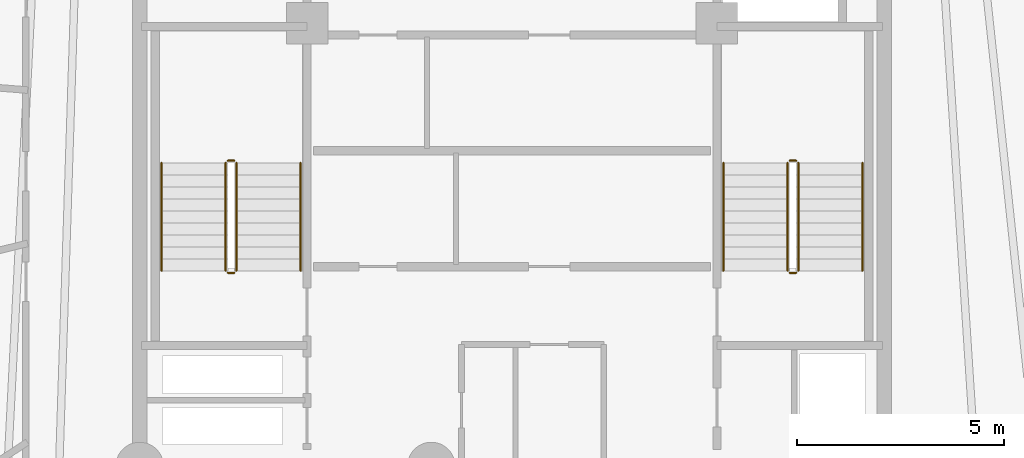
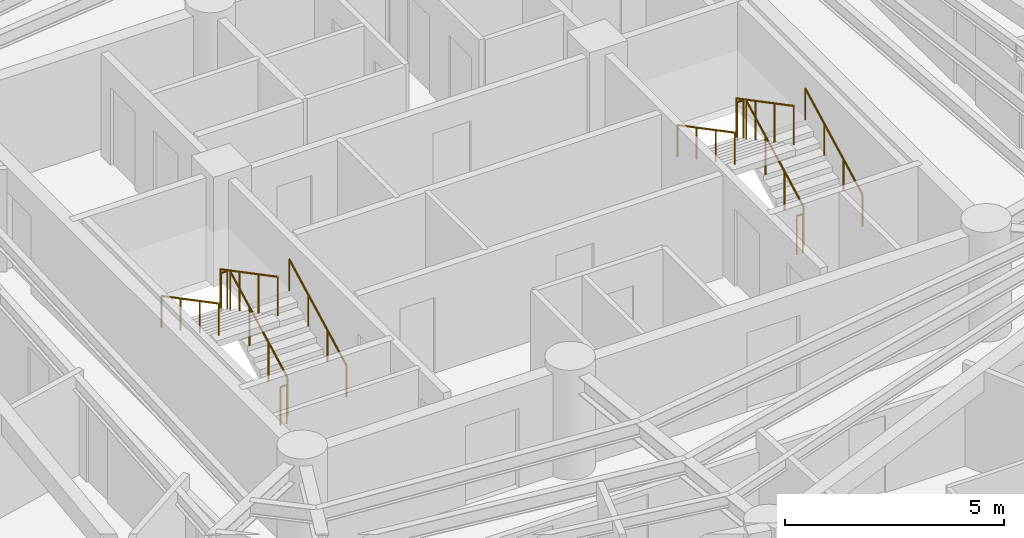
# One storey, part 7 of 7: 12 railings.
"""IFC4 building model written with IfcOpenShell, lengths in metres."""

from ifc_helpers import new_model, si_unit, direction, frame, origin, origin_2d, place, context, subcontext, project, spatial, circle, extrude, material, layer, layer_set, type_object, element, save


model = new_model("IFC4")

# Units and contexts
model_context = context("Model", 3, precision=1e-05, world=origin(), true_north=direction((0.0, 1.0)))
body_context = subcontext(model_context, "Body", "Model", "MODEL_VIEW")
ifc_project = project(units=[si_unit("LENGTHUNIT", "METRE"), si_unit("AREAUNIT", "SQUARE_METRE"), si_unit("VOLUMEUNIT", "CUBIC_METRE"), si_unit("PLANEANGLEUNIT", "RADIAN"), si_unit("MASSUNIT", "GRAM", prefix="KILO")], contexts=[model_context])

# Site, building, storey
site_placement = place(None, origin())
site = spatial("IfcSite", under=ifc_project, at=site_placement, CompositionType="ELEMENT")
building_placement = place(site_placement, origin())
building = spatial("IfcBuilding", under=site, at=building_placement, Name="Karkom Vertical University and Central Library", CompositionType="ELEMENT")
storey_placement = place(building_placement, frame((0.0, 0.0, 226.050048828125)))
storey = spatial("IfcBuildingStorey", under=building, at=storey_placement, Name="L66", CompositionType="ELEMENT", Elevation=226.050048828125)

# Railings
ifc_material_1 = material(Name="Painted galvanised steel balustrade", Category="steel")
ifc_layer_1 = layer(ifc_material_1, 0.06005859375)
ifc_layer_set_1 = layer_set([ifc_layer_1], Name="Painted galvanised steel balustrade")
railing_type_1 = type_object("IfcRailingType", Name="INT-RL-GUARD1100", PredefinedType="GUARDRAIL", material=ifc_layer_set_1)
railing_1_placement = place(storey_placement, frame((21.840087890625, 23.02001953125, 0.15234375)))
element("IfcRailing", 1, at=railing_1_placement, inside=storey, type_object=railing_type_1, Name="Level 66 ST-1 stair guard 1", PredefinedType="GUARDRAIL", context=body_context, shape_type="SweptSolid", body=[
    extrude(circle(Radius=0.02392578125, at=origin_2d()), frame((0.0, 0.0, 1.076171875), z_axis=(0.0, 0.885065446896, 0.46546659892), x_axis=(-1.0, 0.0, 0.0)), (0.0, 0.0, 1.0), 2.94873046875),
    extrude(circle(Radius=0.02099609375, at=origin_2d()), origin(), (0.0, 0.0, 1.0), 1.052001953125),
    extrude(circle(Radius=0.02099609375, at=origin_2d()), frame((0.0, 0.869873046875, 0.45751953125)), (0.0, 0.0, 1.0), 1.052001953125),
    extrude(circle(Radius=0.02099609375, at=origin_2d()), frame((0.0, 1.739990234375, 0.9150390625)), (0.0, 0.0, 1.0), 1.052001953125),
    extrude(circle(Radius=0.02099609375, at=origin_2d()), frame((0.0, 2.60986328125, 1.37255859375)), (0.0, 0.0, 1.0), 1.052001953125),
])
railing_2_placement = place(storey_placement, frame((21.7900390625, 25.679931640625, 1.52490234375)))
element("IfcRailing", 2, at=railing_2_placement, inside=storey, type_object=railing_type_1, Name="Level 66 ST-1 stair guard 2", PredefinedType="GUARDRAIL", context=body_context, shape_type="SweptSolid", body=[
    extrude(circle(Radius=0.02392578125, at=origin_2d()), frame((0.0, 0.0, 1.076171875), z_axis=(-1.0, 0.0, 0.0), x_axis=(0.0, -1.0, 0.0)), (0.0, 0.0, 1.0), 0.16015625),
    extrude(circle(Radius=0.02099609375, at=origin_2d()), origin(), (0.0, 0.0, 1.0), 1.052001953125),
    extrude(circle(Radius=0.02099609375, at=origin_2d()), frame((-0.16015625, 0.0, 0.0)), (0.0, 0.0, 1.0), 1.052001953125),
])
railing_3_placement = place(storey_placement, frame((21.580078125, 25.6298828125, 1.677490234375)))
element("IfcRailing", 3, at=railing_3_placement, inside=storey, type_object=railing_type_1, Name="Level 66 ST-1 stair guard 3", PredefinedType="GUARDRAIL", context=body_context, shape_type="SweptSolid", body=[
    extrude(circle(Radius=0.02392578125, at=origin_2d()), frame((0.0, 0.0, 1.076171875), z_axis=(0.0, -0.885065446896, 0.46546659892), x_axis=(1.0, 0.0, 0.0)), (0.0, 0.0, 1.0), 2.94873046875),
    extrude(circle(Radius=0.02099609375, at=origin_2d()), origin(), (0.0, 0.0, 1.0), 1.052001953125),
    extrude(circle(Radius=0.02099609375, at=origin_2d()), frame((0.0, -0.869873046875, 0.45751953125)), (0.0, 0.0, 1.0), 1.052001953125),
    extrude(circle(Radius=0.02099609375, at=origin_2d()), frame((0.0, -1.739990234375, 0.9150390625)), (0.0, 0.0, 1.0), 1.052001953125),
    extrude(circle(Radius=0.02099609375, at=origin_2d()), frame((0.0, -2.60986328125, 1.37255859375)), (0.0, 0.0, 1.0), 1.052001953125),
])
railing_4_placement = place(storey_placement, frame((21.7900390625, 22.969970703125, 0.0)))
element("IfcRailing", 4, at=railing_4_placement, inside=storey, type_object=railing_type_1, Name="Level 66 ST-1 stair guard 4", PredefinedType="GUARDRAIL", context=body_context, shape_type="SweptSolid", body=[
    extrude(circle(Radius=0.02392578125, at=origin_2d()), frame((0.0, 0.0, 1.076171875), z_axis=(-1.0, 0.0, 0.0), x_axis=(0.0, -1.0, 0.0)), (0.0, 0.0, 1.0), 0.16015625),
    extrude(circle(Radius=0.02099609375, at=origin_2d()), origin(), (0.0, 0.0, 1.0), 1.052001953125),
    extrude(circle(Radius=0.02099609375, at=origin_2d()), frame((-0.16015625, 0.0, 0.0)), (0.0, 0.0, 1.0), 1.052001953125),
])
railing_5_placement = place(storey_placement, frame((35.419921875, 23.02001953125, 0.15234375)))
element("IfcRailing", 5, at=railing_5_placement, inside=storey, type_object=railing_type_1, Name="Level 66 ST-2 stair guard 1", PredefinedType="GUARDRAIL", context=body_context, shape_type="SweptSolid", body=[
    extrude(circle(Radius=0.02392578125, at=origin_2d()), frame((0.0, 0.0, 1.076171875), z_axis=(0.0, 0.885065446896, 0.46546659892), x_axis=(-1.0, 0.0, 0.0)), (0.0, 0.0, 1.0), 2.94873046875),
    extrude(circle(Radius=0.02099609375, at=origin_2d()), origin(), (0.0, 0.0, 1.0), 1.052001953125),
    extrude(circle(Radius=0.02099609375, at=origin_2d()), frame((0.0, 0.869873046875, 0.45751953125)), (0.0, 0.0, 1.0), 1.052001953125),
    extrude(circle(Radius=0.02099609375, at=origin_2d()), frame((0.0, 1.739990234375, 0.9150390625)), (0.0, 0.0, 1.0), 1.052001953125),
    extrude(circle(Radius=0.02099609375, at=origin_2d()), frame((0.0, 2.60986328125, 1.37255859375)), (0.0, 0.0, 1.0), 1.052001953125),
])
railing_6_placement = place(storey_placement, frame((35.3701171875, 25.679931640625, 1.52490234375)))
element("IfcRailing", 6, at=railing_6_placement, inside=storey, type_object=railing_type_1, Name="Level 66 ST-2 stair guard 2", PredefinedType="GUARDRAIL", context=body_context, shape_type="SweptSolid", body=[
    extrude(circle(Radius=0.02392578125, at=origin_2d()), frame((0.0, 0.0, 1.076171875), z_axis=(-1.0, 0.0, 0.0), x_axis=(0.0, -1.0, 0.0)), (0.0, 0.0, 1.0), 0.16015625),
    extrude(circle(Radius=0.02099609375, at=origin_2d()), origin(), (0.0, 0.0, 1.0), 1.052001953125),
    extrude(circle(Radius=0.02099609375, at=origin_2d()), frame((-0.16015625, 0.0, 0.0)), (0.0, 0.0, 1.0), 1.052001953125),
])
railing_7_placement = place(storey_placement, frame((35.159912109375, 25.6298828125, 1.677490234375)))
element("IfcRailing", 7, at=railing_7_placement, inside=storey, type_object=railing_type_1, Name="Level 66 ST-2 stair guard 3", PredefinedType="GUARDRAIL", context=body_context, shape_type="SweptSolid", body=[
    extrude(circle(Radius=0.02392578125, at=origin_2d()), frame((0.0, 0.0, 1.076171875), z_axis=(0.0, -0.885065446896, 0.46546659892), x_axis=(1.0, 0.0, 0.0)), (0.0, 0.0, 1.0), 2.94873046875),
    extrude(circle(Radius=0.02099609375, at=origin_2d()), origin(), (0.0, 0.0, 1.0), 1.052001953125),
    extrude(circle(Radius=0.02099609375, at=origin_2d()), frame((0.0, -0.869873046875, 0.45751953125)), (0.0, 0.0, 1.0), 1.052001953125),
    extrude(circle(Radius=0.02099609375, at=origin_2d()), frame((0.0, -1.739990234375, 0.9150390625)), (0.0, 0.0, 1.0), 1.052001953125),
    extrude(circle(Radius=0.02099609375, at=origin_2d()), frame((0.0, -2.60986328125, 1.37255859375)), (0.0, 0.0, 1.0), 1.052001953125),
])
railing_8_placement = place(storey_placement, frame((35.3701171875, 22.969970703125, 0.0)))
element("IfcRailing", 8, at=railing_8_placement, inside=storey, type_object=railing_type_1, Name="Level 66 ST-2 stair guard 4", PredefinedType="GUARDRAIL", context=body_context, shape_type="SweptSolid", body=[
    extrude(circle(Radius=0.02392578125, at=origin_2d()), frame((0.0, 0.0, 1.076171875), z_axis=(-1.0, 0.0, 0.0), x_axis=(0.0, -1.0, 0.0)), (0.0, 0.0, 1.0), 0.16015625),
    extrude(circle(Radius=0.02099609375, at=origin_2d()), origin(), (0.0, 0.0, 1.0), 1.052001953125),
    extrude(circle(Radius=0.02099609375, at=origin_2d()), frame((-0.16015625, 0.0, 0.0)), (0.0, 0.0, 1.0), 1.052001953125),
])
ifc_material_2 = material(Name="Brushed stainless-steel tubular handrail", Category="steel")
ifc_layer_2 = layer(ifc_material_2, 0.048095703125)
ifc_layer_set_2 = layer_set([ifc_layer_2], Name="Brushed stainless-steel tubular handrail")
railing_type_2 = type_object("IfcRailingType", Name="INT-RL-HAND920", PredefinedType="HANDRAIL", material=ifc_layer_set_2)
railing_9_placement = place(storey_placement, frame((23.389892578125, 23.02001953125, 0.15234375)))
element("IfcRailing", 9, at=railing_9_placement, inside=storey, type_object=railing_type_2, Name="Level 66 ST-1 stair handrail 1", PredefinedType="HANDRAIL", context=body_context, shape_type="SweptSolid", body=[
    extrude(circle(Radius=0.02392578125, at=origin_2d()), frame((0.0, 0.0, 0.8759765625), z_axis=(0.0, 0.885065446896, 0.46546659892), x_axis=(-1.0, 0.0, 0.0)), (0.0, 0.0, 1.0), 2.94873046875),
    extrude(circle(Radius=0.02099609375, at=origin_2d()), origin(), (0.0, 0.0, 1.0), 0.851806640625),
    extrude(circle(Radius=0.02099609375, at=origin_2d()), frame((0.0, 0.869873046875, 0.45751953125)), (0.0, 0.0, 1.0), 0.851806640625),
    extrude(circle(Radius=0.02099609375, at=origin_2d()), frame((0.0, 1.739990234375, 0.9150390625)), (0.0, 0.0, 1.0), 0.851806640625),
    extrude(circle(Radius=0.02099609375, at=origin_2d()), frame((0.0, 2.60986328125, 1.37255859375)), (0.0, 0.0, 1.0), 0.851806640625),
])
railing_10_placement = place(storey_placement, frame((20.030029296875, 25.6298828125, 1.677490234375)))
element("IfcRailing", 10, at=railing_10_placement, inside=storey, type_object=railing_type_2, Name="Level 66 ST-1 stair handrail 2", PredefinedType="HANDRAIL", context=body_context, shape_type="SweptSolid", body=[
    extrude(circle(Radius=0.02392578125, at=origin_2d()), frame((0.0, 0.0, 0.8759765625), z_axis=(0.0, -0.885065446896, 0.46546659892), x_axis=(1.0, 0.0, 0.0)), (0.0, 0.0, 1.0), 2.94873046875),
    extrude(circle(Radius=0.02099609375, at=origin_2d()), origin(), (0.0, 0.0, 1.0), 0.851806640625),
    extrude(circle(Radius=0.02099609375, at=origin_2d()), frame((0.0, -0.869873046875, 0.45751953125)), (0.0, 0.0, 1.0), 0.851806640625),
    extrude(circle(Radius=0.02099609375, at=origin_2d()), frame((0.0, -1.739990234375, 0.9150390625)), (0.0, 0.0, 1.0), 0.851806640625),
    extrude(circle(Radius=0.02099609375, at=origin_2d()), frame((0.0, -2.60986328125, 1.37255859375)), (0.0, 0.0, 1.0), 0.851806640625),
])
railing_11_placement = place(storey_placement, frame((36.969970703125, 23.02001953125, 0.15234375)))
element("IfcRailing", 11, at=railing_11_placement, inside=storey, type_object=railing_type_2, Name="Level 66 ST-2 stair handrail 1", PredefinedType="HANDRAIL", context=body_context, shape_type="SweptSolid", body=[
    extrude(circle(Radius=0.02392578125, at=origin_2d()), frame((0.0, 0.0, 0.8759765625), z_axis=(0.0, 0.885065446896, 0.46546659892), x_axis=(-1.0, 0.0, 0.0)), (0.0, 0.0, 1.0), 2.94873046875),
    extrude(circle(Radius=0.02099609375, at=origin_2d()), origin(), (0.0, 0.0, 1.0), 0.851806640625),
    extrude(circle(Radius=0.02099609375, at=origin_2d()), frame((0.0, 0.869873046875, 0.45751953125)), (0.0, 0.0, 1.0), 0.851806640625),
    extrude(circle(Radius=0.02099609375, at=origin_2d()), frame((0.0, 1.739990234375, 0.9150390625)), (0.0, 0.0, 1.0), 0.851806640625),
    extrude(circle(Radius=0.02099609375, at=origin_2d()), frame((0.0, 2.60986328125, 1.37255859375)), (0.0, 0.0, 1.0), 0.851806640625),
])
railing_12_placement = place(storey_placement, frame((33.610107421875, 25.6298828125, 1.677490234375)))
element("IfcRailing", 12, at=railing_12_placement, inside=storey, type_object=railing_type_2, Name="Level 66 ST-2 stair handrail 2", PredefinedType="HANDRAIL", context=body_context, shape_type="SweptSolid", body=[
    extrude(circle(Radius=0.02392578125, at=origin_2d()), frame((0.0, 0.0, 0.8759765625), z_axis=(0.0, -0.885065446896, 0.46546659892), x_axis=(1.0, 0.0, 0.0)), (0.0, 0.0, 1.0), 2.94873046875),
    extrude(circle(Radius=0.02099609375, at=origin_2d()), origin(), (0.0, 0.0, 1.0), 0.851806640625),
    extrude(circle(Radius=0.02099609375, at=origin_2d()), frame((0.0, -0.869873046875, 0.45751953125)), (0.0, 0.0, 1.0), 0.851806640625),
    extrude(circle(Radius=0.02099609375, at=origin_2d()), frame((0.0, -1.739990234375, 0.9150390625)), (0.0, 0.0, 1.0), 0.851806640625),
    extrude(circle(Radius=0.02099609375, at=origin_2d()), frame((0.0, -2.60986328125, 1.37255859375)), (0.0, 0.0, 1.0), 0.851806640625),
])

save(model, "model.ifc")
